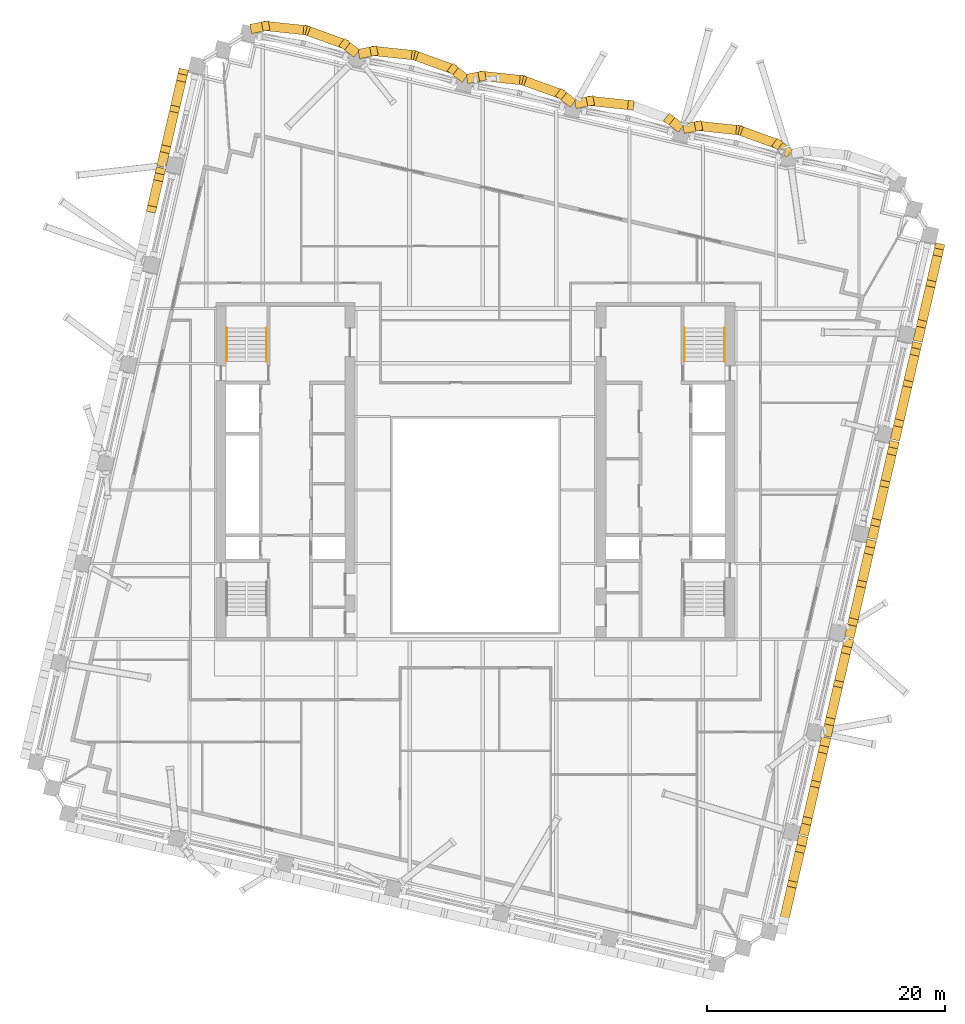
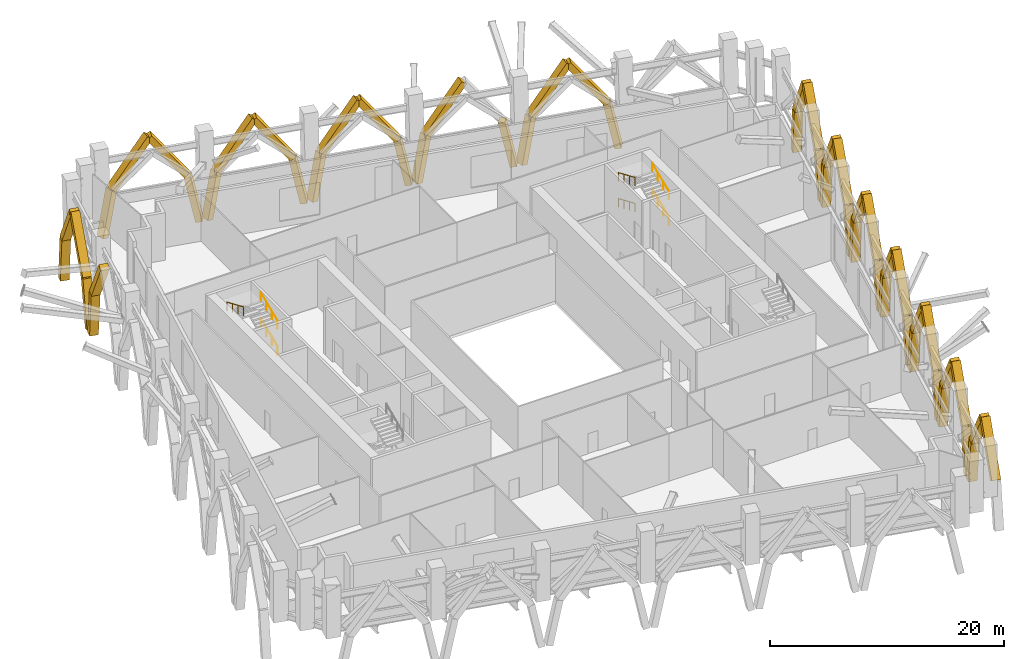
# One storey, part 19 of 20: 52 coverings, 7 railings.
"""IFC4 building model written with IfcOpenShell, lengths in metres."""

from ifc_helpers import new_model, si_unit, direction, frame, origin, origin_2d, place, context, subcontext, project, spatial, rectangle, circle, extrude, material, material_profile, profile_set, type_object, element, save


model = new_model("IFC4")

# Units and contexts
model_context = context("Model", 3, precision=1e-05, world=origin(), true_north=direction((0.0, 1.0)))
body_context = subcontext(model_context, "Body", "Model", "MODEL_VIEW")
ifc_project = project(units=[si_unit("LENGTHUNIT", "METRE"), si_unit("AREAUNIT", "SQUARE_METRE"), si_unit("VOLUMEUNIT", "CUBIC_METRE"), si_unit("PLANEANGLEUNIT", "RADIAN"), si_unit("MASSUNIT", "GRAM", prefix="KILO")], contexts=[model_context])

# Site, building, storey
site_placement = place(None, origin())
site = spatial("IfcSite", under=ifc_project, at=site_placement, CompositionType="ELEMENT")
building_placement = place(site_placement, origin())
building = spatial("IfcBuilding", under=site, at=building_placement, Name="Ogive Exchange Tower", CompositionType="ELEMENT")
storey_placement = place(building_placement, frame((0.0, 0.0, 160.199951171875)))
storey = spatial("IfcBuildingStorey", under=building, at=storey_placement, Name="L35", CompositionType="ELEMENT", Elevation=160.199951171875)

# Coverings
ifc_material_1 = material(Name="Precast concrete C50/60", Category="concrete")
ifc_material_profile = material_profile(ifc_material_1, rectangle(XDim=0.800048828125, YDim=0.60009765625, at=origin_2d()), Name="RIB 800 x 600")
ifc_profile_set = profile_set([ifc_material_profile], Name="Precast concrete C50/60")
covering_type = type_object("IfcCoveringType", Name="Precast tracery rib 800 x 600 C50/60", PredefinedType="CLADDING", material=ifc_profile_set)
covering_1_placement = place(storey_placement, frame((25.97412109375, -26.27099609375, 0.35009765625), z_axis=(0.126954413944, 0.550283398004, 0.825270112546), x_axis=(-0.974404409226, 0.224802240384, 0.0)))
element("IfcCovering", 1, at=covering_1_placement, inside=storey, type_object=covering_type, Name="Tracery rib 9a", PredefinedType="CLADDING", context=body_context, shape_type="SweptSolid", body=[
    extrude(rectangle(XDim=0.800048828125, YDim=0.60009765625, at=origin_2d()), origin(), (0.0, 0.0, 1.0), 5.513427734375),
])
covering_2_placement = place(storey_placement, frame((27.5419921875, -19.47900390625, -4.199951171875), z_axis=(-0.039155080365, -0.169249288001, 0.984795185911), x_axis=(0.974268013321, -0.225392631243, 0.0)))
element("IfcCovering", 2, at=covering_2_placement, inside=storey, type_object=covering_type, Name="Tracery rib 9b", PredefinedType="CLADDING", context=body_context, shape_type="SweptSolid", body=[
    extrude(rectangle(XDim=0.800048828125, YDim=0.60009765625, at=origin_2d()), origin(), (0.0, 0.0, 1.0), 4.620361328125),
])
covering_3_placement = place(storey_placement, frame((27.361083984375, -20.260986328125, 0.35009765625), z_axis=(-0.125363872569, -0.543065247552, 0.830279492915), x_axis=(0.974375027088, -0.224929559165, 0.0)))
element("IfcCovering", 3, at=covering_3_placement, inside=storey, type_object=covering_type, Name="Tracery rib 9b", PredefinedType="CLADDING", context=body_context, shape_type="SweptSolid", body=[
    extrude(rectangle(XDim=0.800048828125, YDim=0.60009765625, at=origin_2d()), origin(), (0.0, 0.0, 1.0), 5.480224609375),
])
covering_4_placement = place(storey_placement, frame((27.698974609375, -18.797119140625, -4.199951171875), z_axis=(0.044806788966, 0.193268720012, 0.980122213567), x_axis=(-0.974162847238, 0.225846733564, 0.0)))
element("IfcCovering", 4, at=covering_4_placement, inside=storey, type_object=covering_type, Name="Tracery rib 10a", PredefinedType="CLADDING", context=body_context, shape_type="SweptSolid", body=[
    extrude(rectangle(XDim=0.800048828125, YDim=0.60009765625, at=origin_2d()), origin(), (0.0, 0.0, 1.0), 4.642333984375),
])
covering_5_placement = place(storey_placement, frame((27.906982421875, -17.89990234375, 0.35009765625), z_axis=(0.128559100783, 0.557368179497, 0.820251955249), x_axis=(-0.97441582914, 0.224752735069, 0.0)))
element("IfcCovering", 5, at=covering_5_placement, inside=storey, type_object=covering_type, Name="Tracery rib 10a", PredefinedType="CLADDING", context=body_context, shape_type="SweptSolid", body=[
    extrude(rectangle(XDim=0.800048828125, YDim=0.60009765625, at=origin_2d()), origin(), (0.0, 0.0, 1.0), 5.547119140625),
])
covering_6_placement = place(storey_placement, frame((29.4609375, -11.1650390625, -4.199951171875), z_axis=(-0.036220371221, -0.157219710754, 0.986899208257), x_axis=(0.974474105376, -0.224499928622, 0.0)))
element("IfcCovering", 6, at=covering_6_placement, inside=storey, type_object=covering_type, Name="Tracery rib 10b", PredefinedType="CLADDING", context=body_context, shape_type="SweptSolid", body=[
    extrude(rectangle(XDim=0.800048828125, YDim=0.60009765625, at=origin_2d()), origin(), (0.0, 0.0, 1.0), 4.6103515625),
])
covering_7_placement = place(storey_placement, frame((29.2939453125, -11.889892578125, 0.35009765625), z_axis=(-0.123699724955, -0.535718410284, 0.83528687463), x_axis=(0.974362336458, -0.224984526782, 0.0)))
element("IfcCovering", 7, at=covering_7_placement, inside=storey, type_object=covering_type, Name="Tracery rib 10b", PredefinedType="CLADDING", context=body_context, shape_type="SweptSolid", body=[
    extrude(rectangle(XDim=0.800048828125, YDim=0.60009765625, at=origin_2d()), origin(), (0.0, 0.0, 1.0), 5.447265625),
])
covering_8_placement = place(storey_placement, frame((29.618896484375, -10.48291015625, -4.199951171875), z_axis=(0.047313580799, 0.20514790965, 0.977586702159), x_axis=(-0.974420581318, 0.224732131002, 0.0)))
element("IfcCovering", 8, at=covering_8_placement, inside=storey, type_object=covering_type, Name="Tracery rib 11a", PredefinedType="CLADDING", context=body_context, shape_type="SweptSolid", body=[
    extrude(rectangle(XDim=0.800048828125, YDim=0.60009765625, at=origin_2d()), origin(), (0.0, 0.0, 1.0), 4.654296875),
])
covering_9_placement = place(storey_placement, frame((29.839111328125, -9.528076171875, 0.35009765625), z_axis=(0.130226861152, 0.564258072556, 0.815263020252), x_axis=(-0.974386102883, 0.224881574408, 0.0)))
element("IfcCovering", 9, at=covering_9_placement, inside=storey, type_object=covering_type, Name="Tracery rib 11a", PredefinedType="CLADDING", context=body_context, shape_type="SweptSolid", body=[
    extrude(rectangle(XDim=0.800048828125, YDim=0.60009765625, at=origin_2d()), origin(), (0.0, 0.0, 1.0), 5.5810546875),
])
covering_10_placement = place(storey_placement, frame((31.381103515625, -2.85107421875, -4.199951171875), z_axis=(-0.033480584487, -0.144958727129, 0.988871082544), x_axis=(0.974349102758, -0.225041831567, 0.0)))
element("IfcCovering", 10, at=covering_10_placement, inside=storey, type_object=covering_type, Name="Tracery rib 11b", PredefinedType="CLADDING", context=body_context, shape_type="SweptSolid", body=[
    extrude(rectangle(XDim=0.800048828125, YDim=0.60009765625, at=origin_2d()), origin(), (0.0, 0.0, 1.0), 4.601318359375),
])
covering_11_placement = place(storey_placement, frame((31.22705078125, -3.51806640625, 0.35009765625), z_axis=(-0.122088232766, -0.528297603969, 0.840235743742), x_axis=(0.974321080365, -0.22516312388, 0.0)))
element("IfcCovering", 11, at=covering_11_placement, inside=storey, type_object=covering_type, Name="Tracery rib 11b", PredefinedType="CLADDING", context=body_context, shape_type="SweptSolid", body=[
    extrude(rectangle(XDim=0.800048828125, YDim=0.60009765625, at=origin_2d()), origin(), (0.0, 0.0, 1.0), 5.415283203125),
])
covering_12_placement = place(storey_placement, frame((31.5380859375, -2.1689453125, -4.199951171875), z_axis=(0.050114051302, 0.216829585225, 0.974922311178), x_axis=(-0.974315869684, 0.225185670243, 0.0)))
element("IfcCovering", 12, at=covering_12_placement, inside=storey, type_object=covering_type, Name="Tracery rib 12a", PredefinedType="CLADDING", context=body_context, shape_type="SweptSolid", body=[
    extrude(rectangle(XDim=0.800048828125, YDim=0.60009765625, at=origin_2d()), origin(), (0.0, 0.0, 1.0), 4.6669921875),
])
covering_13_placement = place(storey_placement, frame((31.77197265625, -1.156982421875, 0.35009765625), z_axis=(0.131772741554, 0.571087671741, 0.810243676784), x_axis=(-0.974397446243, 0.224832419272, 0.0)))
element("IfcCovering", 13, at=covering_13_placement, inside=storey, type_object=covering_type, Name="Tracery rib 12a", PredefinedType="CLADDING", context=body_context, shape_type="SweptSolid", body=[
    extrude(rectangle(XDim=0.800048828125, YDim=0.60009765625, at=origin_2d()), origin(), (0.0, 0.0, 1.0), 5.61572265625),
])
covering_14_placement = place(storey_placement, frame((33.300048828125, 5.4619140625, -4.199951171875), z_axis=(-0.030725045446, -0.132574850074, 0.990696664328), x_axis=(0.974180102264, -0.225772293147, 0.0)))
element("IfcCovering", 14, at=covering_14_placement, inside=storey, type_object=covering_type, Name="Tracery rib 12b", PredefinedType="CLADDING", context=body_context, shape_type="SweptSolid", body=[
    extrude(rectangle(XDim=0.800048828125, YDim=0.60009765625, at=origin_2d()), origin(), (0.0, 0.0, 1.0), 4.5927734375),
])
covering_15_placement = place(storey_placement, frame((33.158935546875, 4.85302734375, 0.35009765625), z_axis=(-0.120184974153, -0.520695731417, 0.845240514452), x_axis=(0.974381182092, -0.224902894569, 0.0)))
element("IfcCovering", 15, at=covering_15_placement, inside=storey, type_object=covering_type, Name="Tracery rib 12b", PredefinedType="CLADDING", context=body_context, shape_type="SweptSolid", body=[
    extrude(rectangle(XDim=0.800048828125, YDim=0.60009765625, at=origin_2d()), origin(), (0.0, 0.0, 1.0), 5.383056640625),
])
covering_16_placement = place(storey_placement, frame((33.4580078125, 6.14404296875, -4.199951171875), z_axis=(0.052784808, 0.228612463899, 0.972085441406), x_axis=(-0.974364962014, 0.224973155729, 0.0)))
element("IfcCovering", 16, at=covering_16_placement, inside=storey, type_object=covering_type, Name="Tracery rib 13a", PredefinedType="CLADDING", context=body_context, shape_type="SweptSolid", body=[
    extrude(rectangle(XDim=0.800048828125, YDim=0.60009765625, at=origin_2d()), origin(), (0.0, 0.0, 1.0), 4.6806640625),
])
covering_17_placement = place(storey_placement, frame((33.705078125, 7.214111328125, 0.35009765625), z_axis=(0.133260857968, 0.577679769834, 0.805312130331), x_axis=(-0.974409618596, 0.224779659193, 0.0)))
element("IfcCovering", 17, at=covering_17_placement, inside=storey, type_object=covering_type, Name="Tracery rib 13a", PredefinedType="CLADDING", context=body_context, shape_type="SweptSolid", body=[
    extrude(rectangle(XDim=0.800048828125, YDim=0.60009765625, at=origin_2d()), origin(), (0.0, 0.0, 1.0), 5.650146484375),
])
covering_18_placement = place(storey_placement, frame((35.218994140625, 13.77587890625, -4.199951171875), z_axis=(-0.027687956597, -0.120336119057, 0.992347013655), x_axis=(0.974536344066, -0.22422960129, 0.0)))
element("IfcCovering", 18, at=covering_18_placement, inside=storey, type_object=covering_type, Name="Tracery rib 13b", PredefinedType="CLADDING", context=body_context, shape_type="SweptSolid", body=[
    extrude(rectangle(XDim=0.800048828125, YDim=0.60009765625, at=origin_2d()), origin(), (0.0, 0.0, 1.0), 4.585205078125),
])
covering_19_placement = place(storey_placement, frame((35.092041015625, 13.22412109375, 0.35009765625), z_axis=(-0.118462313546, -0.513078206688, 0.850127892785), x_axis=(0.974366370023, -0.224967057517, 0.0)))
element("IfcCovering", 19, at=covering_19_placement, inside=storey, type_object=covering_type, Name="Tracery rib 13b", PredefinedType="CLADDING", context=body_context, shape_type="SweptSolid", body=[
    extrude(rectangle(XDim=0.800048828125, YDim=0.60009765625, at=origin_2d()), origin(), (0.0, 0.0, 1.0), 5.352294921875),
])
covering_20_placement = place(storey_placement, frame((35.376953125, 14.4580078125, -4.199951171875), z_axis=(0.055380456077, 0.240241978476, 0.969131981137), x_axis=(-0.974444490447, 0.224628437733, 0.0)))
element("IfcCovering", 20, at=covering_20_placement, inside=storey, type_object=covering_type, Name="Tracery rib 14a", PredefinedType="CLADDING", context=body_context, shape_type="SweptSolid", body=[
    extrude(rectangle(XDim=0.800048828125, YDim=0.60009765625, at=origin_2d()), origin(), (0.0, 0.0, 1.0), 4.695068359375),
])
covering_21_placement = place(storey_placement, frame((35.636962890625, 15.5859375, 0.35009765625), z_axis=(0.134929149494, 0.584163342001, 0.800341998447), x_axis=(-0.974346509992, 0.225053057002, 0.0)))
element("IfcCovering", 21, at=covering_21_placement, inside=storey, type_object=covering_type, Name="Tracery rib 14a", PredefinedType="CLADDING", context=body_context, shape_type="SweptSolid", body=[
    extrude(rectangle(XDim=0.800048828125, YDim=0.60009765625, at=origin_2d()), origin(), (0.0, 0.0, 1.0), 5.68505859375),
])
covering_22_placement = place(storey_placement, frame((37.138916015625, 22.090087890625, -4.199951171875), z_axis=(-0.024903481562, -0.107932862274, 0.993846222435), x_axis=(0.974399308924, -0.224824346476, 0.0)))
element("IfcCovering", 22, at=covering_22_placement, inside=storey, type_object=covering_type, Name="Tracery rib 14b", PredefinedType="CLADDING", context=body_context, shape_type="SweptSolid", body=[
    extrude(rectangle(XDim=0.800048828125, YDim=0.60009765625, at=origin_2d()), origin(), (0.0, 0.0, 1.0), 4.578125),
])
covering_23_placement = place(storey_placement, frame((37.02490234375, 21.595947265625, 0.35009765625), z_axis=(-0.11666698868, -0.505296977319, 0.855022677164), x_axis=(0.97436584247, -0.224969342419, 0.0)))
element("IfcCovering", 23, at=covering_23_placement, inside=storey, type_object=covering_type, Name="Tracery rib 14b", PredefinedType="CLADDING", context=body_context, shape_type="SweptSolid", body=[
    extrude(rectangle(XDim=0.800048828125, YDim=0.60009765625, at=origin_2d()), origin(), (0.0, 0.0, 1.0), 5.321533203125),
])
covering_24_placement = place(storey_placement, frame((37.2958984375, 22.77197265625, -4.199951171875), z_axis=(0.05821230349, 0.251613999233, 0.966075423097), x_axis=(-0.974265880377, 0.225401850775, 0.0)))
element("IfcCovering", 24, at=covering_24_placement, inside=storey, type_object=covering_type, Name="Tracery rib 15a", PredefinedType="CLADDING", context=body_context, shape_type="SweptSolid", body=[
    extrude(rectangle(XDim=0.800048828125, YDim=0.60009765625, at=origin_2d()), origin(), (0.0, 0.0, 1.0), 4.709716796875),
])
covering_25_placement = place(storey_placement, frame((37.570068359375, 23.95703125, 0.35009765625), z_axis=(0.136347928436, 0.590627646184, 0.795341578175), x_axis=(-0.974373394206, 0.22493663255, 0.0)))
element("IfcCovering", 25, at=covering_25_placement, inside=storey, type_object=covering_type, Name="Tracery rib 15a", PredefinedType="CLADDING", context=body_context, shape_type="SweptSolid", body=[
    extrude(rectangle(XDim=0.800048828125, YDim=0.60009765625, at=origin_2d()), origin(), (0.0, 0.0, 1.0), 5.720947265625),
])
covering_26_placement = place(storey_placement, frame((39.05810546875, 30.404052734375, -4.199951171875), z_axis=(-0.022106716656, -0.095582180711, 0.995176034583), x_axis=(0.974280997593, -0.225336498885, 0.0)))
element("IfcCovering", 26, at=covering_26_placement, inside=storey, type_object=covering_type, Name="Tracery rib 15b", PredefinedType="CLADDING", context=body_context, shape_type="SweptSolid", body=[
    extrude(rectangle(XDim=0.800048828125, YDim=0.60009765625, at=origin_2d()), origin(), (0.0, 0.0, 1.0), 4.572021484375),
])
covering_27_placement = place(storey_placement, frame((38.95703125, 29.967041015625, 0.35009765625), z_axis=(-0.11471192141, -0.497284946516, 0.859970265215), x_axis=(0.974411002115, -0.224773661618, 0.0)))
element("IfcCovering", 27, at=covering_27_placement, inside=storey, type_object=covering_type, Name="Tracery rib 15b", PredefinedType="CLADDING", context=body_context, shape_type="SweptSolid", body=[
    extrude(rectangle(XDim=0.800048828125, YDim=0.60009765625, at=origin_2d()), origin(), (0.0, 0.0, 1.0), 5.291015625),
])
covering_28_placement = place(storey_placement, frame((26.216064453125, 38.47998046875, -4.199951171875), z_axis=(-0.172097115692, 0.130709985891, 0.976369541904), x_axis=(-0.604837376826, -0.796349011172, 0.0)))
element("IfcCovering", 28, at=covering_28_placement, inside=storey, type_object=covering_type, Name="Tracery rib 19a", PredefinedType="CLADDING", context=body_context, shape_type="SweptSolid", body=[
    extrude(rectangle(XDim=0.800048828125, YDim=0.60009765625, at=origin_2d()), origin(), (0.0, 0.0, 1.0), 4.66015625),
])
covering_29_placement = place(storey_placement, frame((25.4140625, 39.089111328125, 0.35009765625), z_axis=(-0.566071882039, 0.205283521926, 0.798386685755), x_axis=(-0.340920366199, -0.940092178412, 0.0)))
element("IfcCovering", 29, at=covering_29_placement, inside=storey, type_object=covering_type, Name="Tracery rib 19a", PredefinedType="CLADDING", context=body_context, shape_type="SweptSolid", body=[
    extrude(rectangle(XDim=0.800048828125, YDim=0.60009765625, at=origin_2d()), origin(), (0.0, 0.0, 1.0), 5.698974609375),
])
covering_30_placement = place(storey_placement, frame((17.787109375, 40.425048828125, -4.199951171875), z_axis=(0.211963483284, 0.042277442168, 0.976362688573), x_axis=(-0.19560337429, 0.980683088447, 0.0)))
element("IfcCovering", 30, at=covering_30_placement, inside=storey, type_object=covering_type, Name="Tracery rib 19b", PredefinedType="CLADDING", context=body_context, shape_type="SweptSolid", body=[
    extrude(rectangle(XDim=0.800048828125, YDim=0.60009765625, at=origin_2d()), origin(), (0.0, 0.0, 1.0), 4.66015625),
])
covering_31_placement = place(storey_placement, frame((18.77490234375, 40.6220703125, 0.35009765625), z_axis=(0.59884326346, -0.063696704776, 0.798329177476), x_axis=(0.10576959354, 0.994390664217, 0.0)))
element("IfcCovering", 31, at=covering_31_placement, inside=storey, type_object=covering_type, Name="Tracery rib 19b", PredefinedType="CLADDING", context=body_context, shape_type="SweptSolid", body=[
    extrude(rectangle(XDim=0.800048828125, YDim=0.60009765625, at=origin_2d()), origin(), (0.0, 0.0, 1.0), 5.699462890625),
])
covering_32_placement = place(storey_placement, frame((17.10498046875, 40.5830078125, -4.199951171875), z_axis=(-0.171894933033, 0.130663201153, 0.976411419363), x_axis=(-0.605150939534, -0.796110758865, 0.0)))
element("IfcCovering", 32, at=covering_32_placement, inside=storey, type_object=covering_type, Name="Tracery rib 20a", PredefinedType="CLADDING", context=body_context, shape_type="SweptSolid", body=[
    extrude(rectangle(XDim=0.800048828125, YDim=0.60009765625, at=origin_2d()), origin(), (0.0, 0.0, 1.0), 4.659912109375),
])
covering_33_placement = place(storey_placement, frame((8.677001953125, 42.529052734375, -4.199951171875), z_axis=(0.21201539076, 0.042067793126, 0.976360473832), x_axis=(-0.194624390762, 0.980877844851, 0.0)))
element("IfcCovering", 33, at=covering_33_placement, inside=storey, type_object=covering_type, Name="Tracery rib 20b", PredefinedType="CLADDING", context=body_context, shape_type="SweptSolid", body=[
    extrude(rectangle(XDim=0.800048828125, YDim=0.60009765625, at=origin_2d()), origin(), (0.0, 0.0, 1.0), 4.66015625),
])
covering_34_placement = place(storey_placement, frame((9.6650390625, 42.72509765625, 0.35009765625), z_axis=(0.598705865737, -0.063704874587, 0.798431572075), x_axis=(0.105807012395, 0.994386683402, 0.0)))
element("IfcCovering", 34, at=covering_34_placement, inside=storey, type_object=covering_type, Name="Tracery rib 20b", PredefinedType="CLADDING", context=body_context, shape_type="SweptSolid", body=[
    extrude(rectangle(XDim=0.800048828125, YDim=0.60009765625, at=origin_2d()), origin(), (0.0, 0.0, 1.0), 5.69873046875),
])
covering_35_placement = place(storey_placement, frame((7.9951171875, 42.68603515625, -4.199951171875), z_axis=(-0.171890222571, 0.130869178903, 0.976384662619), x_axis=(-0.605765538213, -0.795643206917, 0.0)))
element("IfcCovering", 35, at=covering_35_placement, inside=storey, type_object=covering_type, Name="Tracery rib 21a", PredefinedType="CLADDING", context=body_context, shape_type="SweptSolid", body=[
    extrude(rectangle(XDim=0.800048828125, YDim=0.60009765625, at=origin_2d()), origin(), (0.0, 0.0, 1.0), 4.66015625),
])
covering_36_placement = place(storey_placement, frame((7.194091796875, 43.2958984375, 0.35009765625), z_axis=(-0.566203242049, 0.205140514917, 0.798330293696), x_axis=(-0.340640575848, -0.940193596067, 0.0)))
element("IfcCovering", 36, at=covering_36_placement, inside=storey, type_object=covering_type, Name="Tracery rib 21a", PredefinedType="CLADDING", context=body_context, shape_type="SweptSolid", body=[
    extrude(rectangle(XDim=0.800048828125, YDim=0.60009765625, at=origin_2d()), origin(), (0.0, 0.0, 1.0), 5.699462890625),
])
covering_37_placement = place(storey_placement, frame((-0.43310546875, 44.632080078125, -4.199951171875), z_axis=(0.211813371773, 0.042278850116, 0.976395203988), x_axis=(-0.195742957355, 0.980655237403, 0.0)))
element("IfcCovering", 37, at=covering_37_placement, inside=storey, type_object=covering_type, Name="Tracery rib 21b", PredefinedType="CLADDING", context=body_context, shape_type="SweptSolid", body=[
    extrude(rectangle(XDim=0.800048828125, YDim=0.60009765625, at=origin_2d()), origin(), (0.0, 0.0, 1.0), 4.66015625),
])
covering_38_placement = place(storey_placement, frame((0.553955078125, 44.8291015625, 0.35009765625), z_axis=(0.598836719017, -0.063867349646, 0.798320452955), x_axis=(0.10605091594, 0.994360700766, 0.0)))
element("IfcCovering", 38, at=covering_38_placement, inside=storey, type_object=covering_type, Name="Tracery rib 21b", PredefinedType="CLADDING", context=body_context, shape_type="SweptSolid", body=[
    extrude(rectangle(XDim=0.800048828125, YDim=0.60009765625, at=origin_2d()), origin(), (0.0, 0.0, 1.0), 5.699462890625),
])
covering_39_placement = place(storey_placement, frame((-1.114990234375, 44.7900390625, -4.199951171875), z_axis=(-0.172098293944, 0.130658491658, 0.976376226554), x_axis=(-0.604683607228, -0.796465777764, 0.0)))
element("IfcCovering", 39, at=covering_39_placement, inside=storey, type_object=covering_type, Name="Tracery rib 22a", PredefinedType="CLADDING", context=body_context, shape_type="SweptSolid", body=[
    extrude(rectangle(XDim=0.800048828125, YDim=0.60009765625, at=origin_2d()), origin(), (0.0, 0.0, 1.0), 4.66015625),
])
covering_40_placement = place(storey_placement, frame((-1.9169921875, 45.39892578125, 0.35009765625), z_axis=(-0.566066903493, 0.205324554899, 0.798379664023), x_axis=(-0.340983238769, -0.940069375567, 0.0)))
element("IfcCovering", 40, at=covering_40_placement, inside=storey, type_object=covering_type, Name="Tracery rib 22a", PredefinedType="CLADDING", context=body_context, shape_type="SweptSolid", body=[
    extrude(rectangle(XDim=0.800048828125, YDim=0.60009765625, at=origin_2d()), origin(), (0.0, 0.0, 1.0), 5.69921875),
])
covering_41_placement = place(storey_placement, frame((-9.5439453125, 46.735107421875, -4.199951171875), z_axis=(0.212013986399, 0.04222467829, 0.976354006554), x_axis=(-0.195323814769, 0.980738806912, 0.0)))
element("IfcCovering", 41, at=covering_41_placement, inside=storey, type_object=covering_type, Name="Tracery rib 22b", PredefinedType="CLADDING", context=body_context, shape_type="SweptSolid", body=[
    extrude(rectangle(XDim=0.800048828125, YDim=0.60009765625, at=origin_2d()), origin(), (0.0, 0.0, 1.0), 4.66015625),
])
covering_42_placement = place(storey_placement, frame((-8.555908203125, 46.931884765625, 0.35009765625), z_axis=(0.598817421551, -0.063655675544, 0.798351833854), x_axis=(0.105706735772, 0.994397348152, 0.0)))
element("IfcCovering", 42, at=covering_42_placement, inside=storey, type_object=covering_type, Name="Tracery rib 22b", PredefinedType="CLADDING", context=body_context, shape_type="SweptSolid", body=[
    extrude(rectangle(XDim=0.800048828125, YDim=0.60009765625, at=origin_2d()), origin(), (0.0, 0.0, 1.0), 5.69921875),
])
covering_43_placement = place(storey_placement, frame((-10.22607421875, 46.89306640625, -4.199951171875), z_axis=(-0.171894933033, 0.130663201153, 0.976411419363), x_axis=(-0.605150939534, -0.796110758865, 0.0)))
element("IfcCovering", 43, at=covering_43_placement, inside=storey, type_object=covering_type, Name="Tracery rib 23a", PredefinedType="CLADDING", context=body_context, shape_type="SweptSolid", body=[
    extrude(rectangle(XDim=0.800048828125, YDim=0.60009765625, at=origin_2d()), origin(), (0.0, 0.0, 1.0), 4.659912109375),
])
covering_44_placement = place(storey_placement, frame((-11.027099609375, 47.501953125, 0.35009765625), z_axis=(-0.566154228858, 0.205309617834, 0.798321583054), x_axis=(-0.340914838407, -0.940094183023, 0.0)))
element("IfcCovering", 44, at=covering_44_placement, inside=storey, type_object=covering_type, Name="Tracery rib 23a", PredefinedType="CLADDING", context=body_context, shape_type="SweptSolid", body=[
    extrude(rectangle(XDim=0.800048828125, YDim=0.60009765625, at=origin_2d()), origin(), (0.0, 0.0, 1.0), 5.699462890625),
])
covering_45_placement = place(storey_placement, frame((-18.654052734375, 48.839111328125, -4.199951171875), z_axis=(0.211815710372, 0.042017363274, 0.976405984221), x_axis=(-0.194576229191, 0.980887399773, 0.0)))
element("IfcCovering", 45, at=covering_45_placement, inside=storey, type_object=covering_type, Name="Tracery rib 23b", PredefinedType="CLADDING", context=body_context, shape_type="SweptSolid", body=[
    extrude(rectangle(XDim=0.800048828125, YDim=0.60009765625, at=origin_2d()), origin(), (0.0, 0.0, 1.0), 4.659912109375),
])
covering_46_placement = place(storey_placement, frame((-17.6669921875, 49.034912109375, 0.35009765625), z_axis=(0.598844896858, -0.063654042685, 0.798331354988), x_axis=(0.105699258969, 0.994398142925, 0.0)))
element("IfcCovering", 46, at=covering_46_placement, inside=storey, type_object=covering_type, Name="Tracery rib 23b", PredefinedType="CLADDING", context=body_context, shape_type="SweptSolid", body=[
    extrude(rectangle(XDim=0.800048828125, YDim=0.60009765625, at=origin_2d()), origin(), (0.0, 0.0, 1.0), 5.699462890625),
])
covering_47_placement = place(storey_placement, frame((-24.626953125, 45.10693359375, -4.199951171875), z_axis=(-0.021893228067, -0.095582629854, 0.995180710944), x_axis=(0.974757014123, -0.223268366363, 0.0)))
element("IfcCovering", 47, at=covering_47_placement, inside=storey, type_object=covering_type, Name="Tracery rib 26a", PredefinedType="CLADDING", context=body_context, shape_type="SweptSolid", body=[
    extrude(rectangle(XDim=0.800048828125, YDim=0.60009765625, at=origin_2d()), origin(), (0.0, 0.0, 1.0), 4.572021484375),
])
covering_48_placement = place(storey_placement, frame((-24.72705078125, 44.669921875, 0.35009765625), z_axis=(-0.114896695795, -0.49723967626, 0.859971774913), x_axis=(0.974327153602, -0.225136842285, 0.0)))
element("IfcCovering", 48, at=covering_48_placement, inside=storey, type_object=covering_type, Name="Tracery rib 26a", PredefinedType="CLADDING", context=body_context, shape_type="SweptSolid", body=[
    extrude(rectangle(XDim=0.800048828125, YDim=0.60009765625, at=origin_2d()), origin(), (0.0, 0.0, 1.0), 5.291015625),
])
covering_49_placement = place(storey_placement, frame((-26.388916015625, 37.47509765625, -4.199951171875), z_axis=(0.058161401006, 0.251566202392, 0.966090936324), x_axis=(-0.974299757118, 0.225255373477, 0.0)))
element("IfcCovering", 49, at=covering_49_placement, inside=storey, type_object=covering_type, Name="Tracery rib 26b", PredefinedType="CLADDING", context=body_context, shape_type="SweptSolid", body=[
    extrude(rectangle(XDim=0.800048828125, YDim=0.60009765625, at=origin_2d()), origin(), (0.0, 0.0, 1.0), 4.709716796875),
])
covering_50_placement = place(storey_placement, frame((-26.114990234375, 38.659912109375, 0.35009765625), z_axis=(0.136344491755, 0.590655433609, 0.795321531405), x_axis=(-0.974376955969, 0.22492120326, 0.0)))
element("IfcCovering", 50, at=covering_50_placement, inside=storey, type_object=covering_type, Name="Tracery rib 26b", PredefinedType="CLADDING", context=body_context, shape_type="SweptSolid", body=[
    extrude(rectangle(XDim=0.800048828125, YDim=0.60009765625, at=origin_2d()), origin(), (0.0, 0.0, 1.0), 5.720947265625),
])
covering_51_placement = place(storey_placement, frame((-26.5458984375, 36.79296875, -4.199951171875), z_axis=(-0.024903624865, -0.107880156534, 0.993851941335), x_axis=(0.974374957811, -0.224929859267, 0.0)))
element("IfcCovering", 51, at=covering_51_placement, inside=storey, type_object=covering_type, Name="Tracery rib 27a", PredefinedType="CLADDING", context=body_context, shape_type="SweptSolid", body=[
    extrude(rectangle(XDim=0.800048828125, YDim=0.60009765625, at=origin_2d()), origin(), (0.0, 0.0, 1.0), 4.578125),
])
covering_52_placement = place(storey_placement, frame((-26.659912109375, 36.299072265625, 0.35009765625), z_axis=(-0.116712241566, -0.50529427225, 0.855018099867), x_axis=(0.974346447246, -0.225053328654, 0.0)))
element("IfcCovering", 52, at=covering_52_placement, inside=storey, type_object=covering_type, Name="Tracery rib 27a", PredefinedType="CLADDING", context=body_context, shape_type="SweptSolid", body=[
    extrude(rectangle(XDim=0.800048828125, YDim=0.60009765625, at=origin_2d()), origin(), (0.0, 0.0, 1.0), 5.321533203125),
])

# Railings
ifc_material_2 = material(Name="Stainless steel", Category="steel")
railing_type = type_object("IfcRailingType", Name="Stair handrail 900", PredefinedType="HANDRAIL", material=ifc_material_2)
for number, where, name in (
    (53, (-17.60009765625, 20.800048828125, 0.150146484375), "L35 ST2 stair handrail 1"),
    (54, (-17.60009765625, 20.800048828125, 2.85009765625), "L35 ST2 stair handrail 3"),
):
    element("IfcRailing", number, at=place(storey_placement, frame(where)), inside=storey, type_object=railing_type, Name=name, PredefinedType="HANDRAIL", context=body_context, shape_type="SweptSolid", body=[
        extrude(circle(Radius=0.02392578125, at=origin_2d()), frame((0.0, 0.0, 0.8759765625), z_axis=(0.0, 0.919549827119, 0.392973428423), x_axis=(-1.0, 0.0, 0.0)), (0.0, 0.0, 1.0), 3.053466796875),
        extrude(circle(Radius=0.02099609375, at=origin_2d()), origin(), (0.0, 0.0, 1.0), 0.851806640625),
        extrude(circle(Radius=0.02099609375, at=origin_2d()), frame((0.0, 0.93603515625, 0.39990234375)), (0.0, 0.0, 1.0), 0.851806640625),
        extrude(circle(Radius=0.02099609375, at=origin_2d()), frame((0.0, 1.871826171875, 0.800048828125)), (0.0, 0.0, 1.0), 0.851806640625),
        extrude(circle(Radius=0.02099609375, at=origin_2d()), frame((0.0, 2.807861328125, 1.199951171875)), (0.0, 0.0, 1.0), 0.851806640625),
    ])
railing_1_placement = place(storey_placement, frame((-20.949951171875, 23.60791015625, 4.199951171875)))
element("IfcRailing", 55, at=railing_1_placement, inside=storey, type_object=railing_type, Name="L35 ST2 stair handrail 4", PredefinedType="HANDRAIL", context=body_context, shape_type="SweptSolid", body=[
    extrude(circle(Radius=0.02392578125, at=origin_2d()), frame((0.0, 0.0, 0.8759765625), z_axis=(0.0, -0.919520933507, 0.393041032008), x_axis=(1.0, 0.0, 0.0)), (0.0, 0.0, 1.0), 3.0537109375),
    extrude(circle(Radius=0.02099609375, at=origin_2d()), origin(), (0.0, 0.0, 1.0), 0.851806640625),
    extrude(circle(Radius=0.02099609375, at=origin_2d()), frame((0.0, -0.93603515625, 0.400146484375)), (0.0, 0.0, 1.0), 0.851806640625),
    extrude(circle(Radius=0.02099609375, at=origin_2d()), frame((0.0, -1.871826171875, 0.800048828125)), (0.0, 0.0, 1.0), 0.851806640625),
    extrude(circle(Radius=0.02099609375, at=origin_2d()), frame((0.0, -2.807861328125, 1.2001953125)), (0.0, 0.0, 1.0), 0.851806640625),
])
railing_2_placement = place(storey_placement, frame((20.949951171875, 20.800048828125, 0.150146484375)))
element("IfcRailing", 56, at=railing_2_placement, inside=storey, type_object=railing_type, Name="L35 ST4 stair handrail 1", PredefinedType="HANDRAIL", context=body_context, shape_type="SweptSolid", body=[
    extrude(circle(Radius=0.02392578125, at=origin_2d()), frame((0.0, 0.0, 0.8759765625), z_axis=(0.0, 0.919549827119, 0.392973428423), x_axis=(-1.0, 0.0, 0.0)), (0.0, 0.0, 1.0), 3.053466796875),
    extrude(circle(Radius=0.02099609375, at=origin_2d()), origin(), (0.0, 0.0, 1.0), 0.851806640625),
    extrude(circle(Radius=0.02099609375, at=origin_2d()), frame((0.0, 0.93603515625, 0.39990234375)), (0.0, 0.0, 1.0), 0.851806640625),
    extrude(circle(Radius=0.02099609375, at=origin_2d()), frame((0.0, 1.871826171875, 0.800048828125)), (0.0, 0.0, 1.0), 0.851806640625),
    extrude(circle(Radius=0.02099609375, at=origin_2d()), frame((0.0, 2.807861328125, 1.199951171875)), (0.0, 0.0, 1.0), 0.851806640625),
])
railing_3_placement = place(storey_placement, frame((17.60009765625, 23.60791015625, 1.5)))
element("IfcRailing", 57, at=railing_3_placement, inside=storey, type_object=railing_type, Name="L35 ST4 stair handrail 2", PredefinedType="HANDRAIL", context=body_context, shape_type="SweptSolid", body=[
    extrude(circle(Radius=0.02392578125, at=origin_2d()), frame((0.0, 0.0, 0.8759765625), z_axis=(0.0, -0.919549827119, 0.392973428423), x_axis=(1.0, 0.0, 0.0)), (0.0, 0.0, 1.0), 3.053466796875),
    extrude(circle(Radius=0.02099609375, at=origin_2d()), origin(), (0.0, 0.0, 1.0), 0.851806640625),
    extrude(circle(Radius=0.02099609375, at=origin_2d()), frame((0.0, -0.93603515625, 0.39990234375)), (0.0, 0.0, 1.0), 0.851806640625),
    extrude(circle(Radius=0.02099609375, at=origin_2d()), frame((0.0, -1.871826171875, 0.800048828125)), (0.0, 0.0, 1.0), 0.851806640625),
    extrude(circle(Radius=0.02099609375, at=origin_2d()), frame((0.0, -2.807861328125, 1.199951171875)), (0.0, 0.0, 1.0), 0.851806640625),
])
railing_4_placement = place(storey_placement, frame((20.949951171875, 20.800048828125, 2.85009765625)))
element("IfcRailing", 58, at=railing_4_placement, inside=storey, type_object=railing_type, Name="L35 ST4 stair handrail 3", PredefinedType="HANDRAIL", context=body_context, shape_type="SweptSolid", body=[
    extrude(circle(Radius=0.02392578125, at=origin_2d()), frame((0.0, 0.0, 0.8759765625), z_axis=(0.0, 0.919549827119, 0.392973428423), x_axis=(-1.0, 0.0, 0.0)), (0.0, 0.0, 1.0), 3.053466796875),
    extrude(circle(Radius=0.02099609375, at=origin_2d()), origin(), (0.0, 0.0, 1.0), 0.851806640625),
    extrude(circle(Radius=0.02099609375, at=origin_2d()), frame((0.0, 0.93603515625, 0.39990234375)), (0.0, 0.0, 1.0), 0.851806640625),
    extrude(circle(Radius=0.02099609375, at=origin_2d()), frame((0.0, 1.871826171875, 0.800048828125)), (0.0, 0.0, 1.0), 0.851806640625),
    extrude(circle(Radius=0.02099609375, at=origin_2d()), frame((0.0, 2.807861328125, 1.199951171875)), (0.0, 0.0, 1.0), 0.851806640625),
])
railing_5_placement = place(storey_placement, frame((17.60009765625, 23.60791015625, 4.199951171875)))
element("IfcRailing", 59, at=railing_5_placement, inside=storey, type_object=railing_type, Name="L35 ST4 stair handrail 4", PredefinedType="HANDRAIL", context=body_context, shape_type="SweptSolid", body=[
    extrude(circle(Radius=0.02392578125, at=origin_2d()), frame((0.0, 0.0, 0.8759765625), z_axis=(0.0, -0.919520933507, 0.393041032008), x_axis=(1.0, 0.0, 0.0)), (0.0, 0.0, 1.0), 3.0537109375),
    extrude(circle(Radius=0.02099609375, at=origin_2d()), origin(), (0.0, 0.0, 1.0), 0.851806640625),
    extrude(circle(Radius=0.02099609375, at=origin_2d()), frame((0.0, -0.93603515625, 0.400146484375)), (0.0, 0.0, 1.0), 0.851806640625),
    extrude(circle(Radius=0.02099609375, at=origin_2d()), frame((0.0, -1.871826171875, 0.800048828125)), (0.0, 0.0, 1.0), 0.851806640625),
    extrude(circle(Radius=0.02099609375, at=origin_2d()), frame((0.0, -2.807861328125, 1.2001953125)), (0.0, 0.0, 1.0), 0.851806640625),
])

save(model, "model.ifc")
